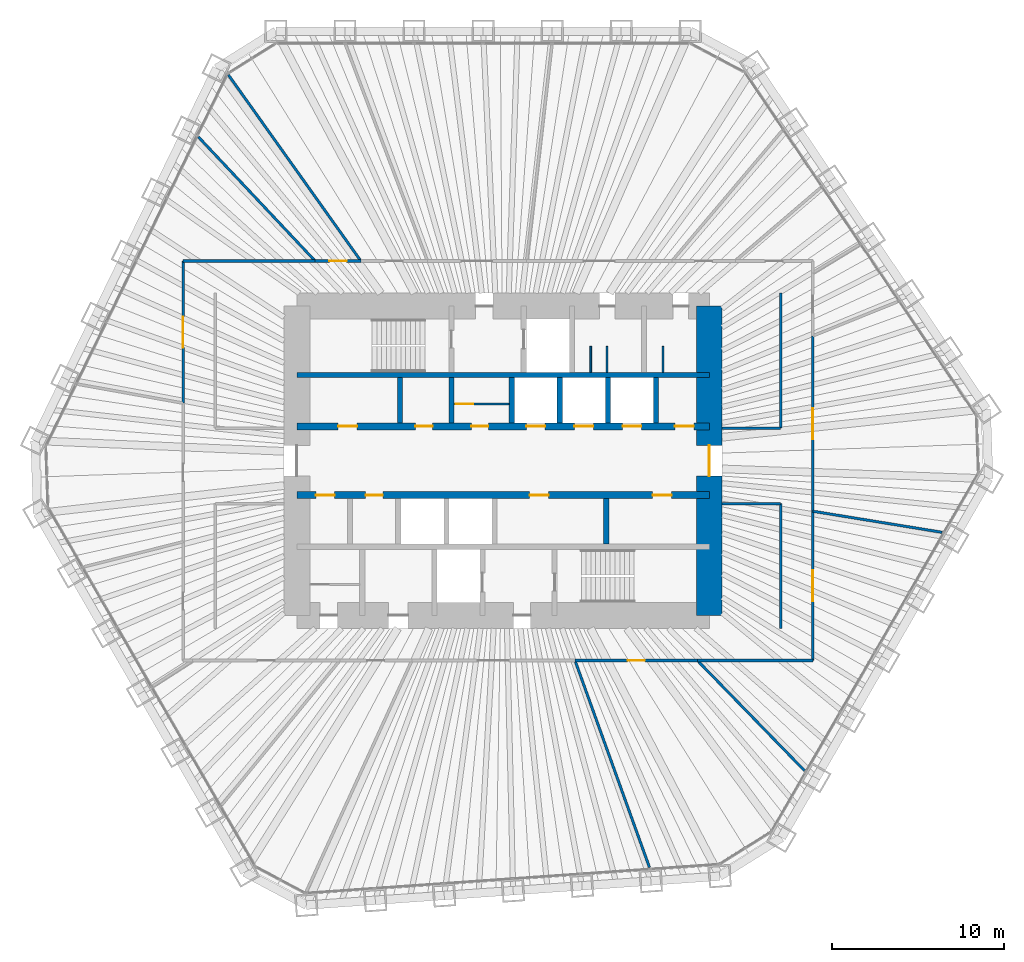
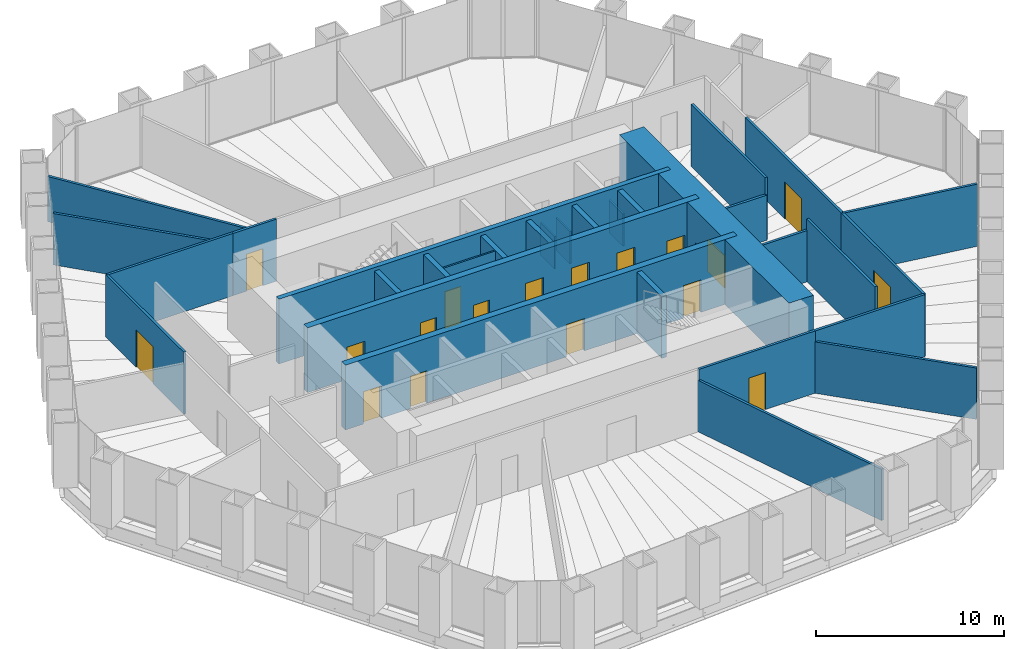
# One storey, part 11 of 13: 31 walls, 18 doors, 18 openings.
"""IFC4 building model written with IfcOpenShell, lengths in metres."""

from ifc_helpers import new_model, si_unit, direction, frame, frame_2d, origin, place, context, subcontext, project, spatial, rectangle, extrude, material, layer, layer_set, type_object, element, fill, save


model = new_model("IFC4")

# Units and contexts
model_context = context("Model", 3, precision=1e-05, world=origin(), true_north=direction((0.0, 1.0)))
body_context = subcontext(model_context, "Body", "Model", "MODEL_VIEW")
ifc_project = project(units=[si_unit("LENGTHUNIT", "METRE"), si_unit("AREAUNIT", "SQUARE_METRE"), si_unit("VOLUMEUNIT", "CUBIC_METRE"), si_unit("PLANEANGLEUNIT", "RADIAN"), si_unit("MASSUNIT", "GRAM", prefix="KILO")], contexts=[model_context])

# Site, building, storey
site_placement = place(None, origin())
site = spatial("IfcSite", under=ifc_project, at=site_placement, CompositionType="ELEMENT")
building_placement = place(site_placement, origin())
building = spatial("IfcBuilding", under=site, at=building_placement, Name="Qingtian Harvest Tower", CompositionType="ELEMENT")
storey_placement = place(building_placement, frame((0.0, 0.0, 149.199951171875)))
storey = spatial("IfcBuildingStorey", under=building, at=storey_placement, Name="L31", CompositionType="ELEMENT", Elevation=149.199951171875)

# Wall
ifc_material_1 = material(Name="Concrete fc' 70 MPa", Category="concrete")
ifc_layer_1 = layer(ifc_material_1, 0.300048828125)
ifc_layer_set_1 = layer_set([ifc_layer_1], Name="Core inner wall RC5 300")
wall_type_1 = type_object("IfcWallType", Name="Core inner wall RC5 300", PredefinedType="SHEAR", material=ifc_layer_set_1)
wall_1_placement = place(storey_placement, frame((-12.0, 5.0, 0.0), z_axis=(0.0, 0.0, 1.0), x_axis=(1.0, 0.0, 0.0)))
element("IfcWall", 1, at=wall_1_placement, inside=storey, type_object=wall_type_1, Name="Core wall IN5 L31", PredefinedType="SHEAR", context=body_context, shape_type="SweptSolid", body=[
    extrude(rectangle(XDim=24.0, YDim=0.300048828125, at=frame_2d((12.0, 0.0))), origin(), (0.0, 0.0, 1.0), 4.199951171875),
])

# Wall, openings, doors
ifc_material_2 = material(Name="Concrete fc' 70 MPa", Category="concrete")
ifc_layer_2 = layer(ifc_material_2, 0.39990234375)
ifc_layer_set_2 = layer_set([ifc_layer_2], Name="Core inner web RC6 400")
wall_type_2 = type_object("IfcWallType", Name="Core inner web RC6 400", PredefinedType="SHEAR", material=ifc_layer_set_2)
wall_2_placement = place(storey_placement, frame((-12.0, 2.0, 0.0), z_axis=(0.0, 0.0, 1.0), x_axis=(1.0, 0.0, 0.0)))
wall_2 = element("IfcWall", 2, at=wall_2_placement, inside=storey, type_object=wall_type_2, Name="Core wall IN2 L31", PredefinedType="SHEAR", context=body_context, shape_type="SweptSolid", body=[
    extrude(rectangle(XDim=24.0, YDim=0.39990234375, at=frame_2d((12.0, 0.0))), origin(), (0.0, 0.0, 1.0), 4.199951171875),
])
opening_1_placement = place(wall_2_placement, frame((2.39990234375, 0.0, 0.0)))
opening_1 = element("IfcOpeningElement", 3, at=opening_1_placement, cuts=wall_2, Name="Opening FD4", PredefinedType="OPENING", context=body_context, shape_type="SweptSolid", body=[
    extrude(rectangle(XDim=1.10009765625, YDim=2.10009765625, at=frame_2d((0.550048828125, 1.050048828125))), frame((0.0, 0.2099609375, 0.0), z_axis=(0.0, -1.0, 0.0), x_axis=(1.0, 0.0, 0.0)), (0.0, 0.0, 1.0), 0.419921875),
])
opening_2_placement = place(wall_2_placement, frame((22.0, 0.0, 0.0)))
opening_2 = element("IfcOpeningElement", 4, at=opening_2_placement, cuts=wall_2, Name="Opening FD4", PredefinedType="OPENING", context=body_context, shape_type="SweptSolid", body=[
    extrude(rectangle(XDim=1.10009765625, YDim=2.10009765625, at=frame_2d((0.550048828125, 1.050048828125))), frame((0.0, 0.2099609375, 0.0), z_axis=(0.0, -1.0, 0.0), x_axis=(1.0, 0.0, 0.0)), (0.0, 0.0, 1.0), 0.419921875),
])
opening_3_placement = place(wall_2_placement, frame((10.14990234375, 0.0, 0.0)))
opening_3 = element("IfcOpeningElement", 5, at=opening_3_placement, cuts=wall_2, Name="Opening FD1", PredefinedType="OPENING", context=body_context, shape_type="SweptSolid", body=[
    extrude(rectangle(XDim=1.0, YDim=2.10009765625, at=frame_2d((0.5, 1.050048828125))), frame((0.0, 0.2099609375, 0.0), z_axis=(0.0, -1.0, 0.0), x_axis=(1.0, 0.0, 0.0)), (0.0, 0.0, 1.0), 0.419921875),
])
opening_4_placement = place(wall_2_placement, frame((6.89990234375, 0.0, 0.0)))
opening_4 = element("IfcOpeningElement", 6, at=opening_4_placement, cuts=wall_2, Name="Opening FD1", PredefinedType="OPENING", context=body_context, shape_type="SweptSolid", body=[
    extrude(rectangle(XDim=1.0, YDim=2.10009765625, at=frame_2d((0.5, 1.050048828125))), frame((0.0, 0.2099609375, 0.0), z_axis=(0.0, -1.0, 0.0), x_axis=(1.0, 0.0, 0.0)), (0.0, 0.0, 1.0), 0.419921875),
])
opening_5_placement = place(wall_2_placement, frame((13.35009765625, 0.0, 0.0)))
opening_5 = element("IfcOpeningElement", 7, at=opening_5_placement, cuts=wall_2, Name="Opening LD1", PredefinedType="OPENING", context=body_context, shape_type="SweptSolid", body=[
    extrude(rectangle(XDim=1.10009765625, YDim=2.39990234375, at=frame_2d((0.550048828125, 1.199951171875))), frame((0.0, 0.2099609375, 0.0), z_axis=(0.0, -1.0, 0.0), x_axis=(1.0, 0.0, 0.0)), (0.0, 0.0, 1.0), 0.419921875),
])
opening_6_placement = place(wall_2_placement, frame((16.14990234375, 0.0, 0.0)))
opening_6 = element("IfcOpeningElement", 8, at=opening_6_placement, cuts=wall_2, Name="Opening LD1", PredefinedType="OPENING", context=body_context, shape_type="SweptSolid", body=[
    extrude(rectangle(XDim=1.10009765625, YDim=2.39990234375, at=frame_2d((0.550048828125, 1.199951171875))), frame((0.0, 0.2099609375, 0.0), z_axis=(0.0, -1.0, 0.0), x_axis=(1.0, 0.0, 0.0)), (0.0, 0.0, 1.0), 0.419921875),
])
opening_7_placement = place(wall_2_placement, frame((18.949951171875, 0.0, 0.0)))
opening_7 = element("IfcOpeningElement", 9, at=opening_7_placement, cuts=wall_2, Name="Opening LD1", PredefinedType="OPENING", context=body_context, shape_type="SweptSolid", body=[
    extrude(rectangle(XDim=1.10009765625, YDim=2.39990234375, at=frame_2d((0.550048828125, 1.199951171875))), frame((0.0, 0.2099609375, 0.0), z_axis=(0.0, -1.0, 0.0), x_axis=(1.0, 0.0, 0.0)), (0.0, 0.0, 1.0), 0.419921875),
])
ifc_material_3 = material(Name="Steel-faced door leaf", Category="steel")
door_type_1 = type_object("IfcDoorType", Name="Fire door FD1 single 1 HR", OperationType="SINGLE_SWING_LEFT", PredefinedType="DOOR", material=ifc_material_3)
door_1_placement = place(opening_3_placement, origin())
door_1 = element("IfcDoor", 10, at=door_1_placement, inside=storey, type_object=door_type_1, Name="STA door L31", OperationType="SINGLE_SWING_LEFT", OverallHeight=2.10009765625, OverallWidth=1.0, PredefinedType="DOOR", context=body_context, shape_type="SweptSolid", body=[
    extrude(rectangle(XDim=1.0, YDim=2.10009765625, at=frame_2d((0.5, 1.050048828125))), frame((0.0, 0.02490234375, 0.0), z_axis=(0.0, -1.0, 0.0), x_axis=(1.0, 0.0, 0.0)), (0.0, 0.0, 1.0), 0.050048828125),
])
fill(opening_3, door_1)
door_2_placement = place(opening_4_placement, origin())
door_2 = element("IfcDoor", 11, at=door_2_placement, inside=storey, type_object=door_type_1, Name="Pantry door L31", OperationType="SINGLE_SWING_RIGHT", OverallHeight=2.10009765625, OverallWidth=1.0, PredefinedType="DOOR", context=body_context, shape_type="SweptSolid", body=[
    extrude(rectangle(XDim=1.0, YDim=2.10009765625, at=frame_2d((0.5, 1.050048828125))), frame((0.0, 0.02490234375, 0.0), z_axis=(0.0, -1.0, 0.0), x_axis=(1.0, 0.0, 0.0)), (0.0, 0.0, 1.0), 0.050048828125),
])
fill(opening_4, door_2)
ifc_material_4 = material(Name="Steel-faced door leaf", Category="steel")
door_type_2 = type_object("IfcDoorType", Name="Fire door FD4 single 2 HR", OperationType="SINGLE_SWING_LEFT", PredefinedType="DOOR", material=ifc_material_4)
door_3_placement = place(opening_1_placement, origin())
door_3 = element("IfcDoor", 12, at=door_3_placement, inside=storey, type_object=door_type_2, Name="RA door L31", OperationType="SINGLE_SWING_LEFT", OverallHeight=2.10009765625, OverallWidth=1.10009765625, PredefinedType="DOOR", context=body_context, shape_type="SweptSolid", body=[
    extrude(rectangle(XDim=1.10009765625, YDim=2.10009765625, at=frame_2d((0.550048828125, 1.050048828125))), frame((0.0, 0.02490234375, 0.0), z_axis=(0.0, -1.0, 0.0), x_axis=(1.0, 0.0, 0.0)), (0.0, 0.0, 1.0), 0.050048828125),
])
fill(opening_1, door_3)
door_4_placement = place(opening_2_placement, origin())
door_4 = element("IfcDoor", 13, at=door_4_placement, inside=storey, type_object=door_type_2, Name="AHU door L31", OperationType="SINGLE_SWING_RIGHT", OverallHeight=2.10009765625, OverallWidth=1.10009765625, PredefinedType="DOOR", context=body_context, shape_type="SweptSolid", body=[
    extrude(rectangle(XDim=1.10009765625, YDim=2.10009765625, at=frame_2d((0.550048828125, 1.050048828125))), frame((0.0, 0.02490234375, 0.0), z_axis=(0.0, -1.0, 0.0), x_axis=(1.0, 0.0, 0.0)), (0.0, 0.0, 1.0), 0.050048828125),
])
fill(opening_2, door_4)
ifc_material_5 = material(Name="Stainless steel lift landing door", Category="steel")
door_type_3 = type_object("IfcDoorType", Name="Lift landing door LD1 1 HR", OperationType="DOUBLE_DOOR_SLIDING", PredefinedType="DOOR", material=ifc_material_5)
door_5_placement = place(opening_5_placement, origin())
door_5 = element("IfcDoor", 14, at=door_5_placement, inside=storey, type_object=door_type_3, Name="PLB1 landing door L31", OperationType="DOUBLE_DOOR_SLIDING", OverallHeight=2.39990234375, OverallWidth=1.10009765625, PredefinedType="DOOR", context=body_context, shape_type="SweptSolid", body=[
    extrude(rectangle(XDim=1.10009765625, YDim=2.39990234375, at=frame_2d((0.550048828125, 1.199951171875))), frame((0.0, 0.02490234375, 0.0), z_axis=(0.0, -1.0, 0.0), x_axis=(1.0, 0.0, 0.0)), (0.0, 0.0, 1.0), 0.050048828125),
])
fill(opening_5, door_5)
door_6_placement = place(opening_6_placement, origin())
door_6 = element("IfcDoor", 15, at=door_6_placement, inside=storey, type_object=door_type_3, Name="PLB2 landing door L31", OperationType="DOUBLE_DOOR_SLIDING", OverallHeight=2.39990234375, OverallWidth=1.10009765625, PredefinedType="DOOR", context=body_context, shape_type="SweptSolid", body=[
    extrude(rectangle(XDim=1.10009765625, YDim=2.39990234375, at=frame_2d((0.550048828125, 1.199951171875))), frame((0.0, 0.02490234375, 0.0), z_axis=(0.0, -1.0, 0.0), x_axis=(1.0, 0.0, 0.0)), (0.0, 0.0, 1.0), 0.050048828125),
])
fill(opening_6, door_6)
door_7_placement = place(opening_7_placement, origin())
door_7 = element("IfcDoor", 16, at=door_7_placement, inside=storey, type_object=door_type_3, Name="PLB3 landing door L31", OperationType="DOUBLE_DOOR_SLIDING", OverallHeight=2.39990234375, OverallWidth=1.10009765625, PredefinedType="DOOR", context=body_context, shape_type="SweptSolid", body=[
    extrude(rectangle(XDim=1.10009765625, YDim=2.39990234375, at=frame_2d((0.550048828125, 1.199951171875))), frame((0.0, 0.02490234375, 0.0), z_axis=(0.0, -1.0, 0.0), x_axis=(1.0, 0.0, 0.0)), (0.0, 0.0, 1.0), 0.050048828125),
])
fill(opening_7, door_7)

wall_3_placement = place(storey_placement, frame((-12.0, -2.0, 0.0), z_axis=(0.0, 0.0, 1.0), x_axis=(1.0, 0.0, 0.0)))
wall_3 = element("IfcWall", 17, at=wall_3_placement, inside=storey, type_object=wall_type_2, Name="Core wall IS2 L31", PredefinedType="SHEAR", context=body_context, shape_type="SweptSolid", body=[
    extrude(rectangle(XDim=24.0, YDim=0.39990234375, at=frame_2d((12.0, 0.0))), origin(), (0.0, 0.0, 1.0), 4.199951171875),
])
opening_8_placement = place(wall_3_placement, frame((1.10009765625, 0.0, 0.0)))
opening_8 = element("IfcOpeningElement", 18, at=opening_8_placement, cuts=wall_3, Name="Opening FD4", PredefinedType="OPENING", context=body_context, shape_type="SweptSolid", body=[
    extrude(rectangle(XDim=1.10009765625, YDim=2.10009765625, at=frame_2d((0.550048828125, 1.050048828125))), frame((0.0, 0.2099609375, 0.0), z_axis=(0.0, -1.0, 0.0), x_axis=(1.0, 0.0, 0.0)), (0.0, 0.0, 1.0), 0.419921875),
])
opening_9_placement = place(wall_3_placement, frame((13.550048828125, 0.0, 0.0)))
opening_9 = element("IfcOpeningElement", 19, at=opening_9_placement, cuts=wall_3, Name="Opening FD4", PredefinedType="OPENING", context=body_context, shape_type="SweptSolid", body=[
    extrude(rectangle(XDim=1.10009765625, YDim=2.10009765625, at=frame_2d((0.550048828125, 1.050048828125))), frame((0.0, 0.2099609375, 0.0), z_axis=(0.0, -1.0, 0.0), x_axis=(1.0, 0.0, 0.0)), (0.0, 0.0, 1.0), 0.419921875),
])
opening_10_placement = place(wall_3_placement, frame((20.699951171875, 0.0, 0.0)))
opening_10 = element("IfcOpeningElement", 20, at=opening_10_placement, cuts=wall_3, Name="Opening FD4", PredefinedType="OPENING", context=body_context, shape_type="SweptSolid", body=[
    extrude(rectangle(XDim=1.10009765625, YDim=2.10009765625, at=frame_2d((0.550048828125, 1.050048828125))), frame((0.0, 0.2099609375, 0.0), z_axis=(0.0, -1.0, 0.0), x_axis=(1.0, 0.0, 0.0)), (0.0, 0.0, 1.0), 0.419921875),
])
opening_11_placement = place(wall_3_placement, frame((4.0, 0.0, 0.0)))
opening_11 = element("IfcOpeningElement", 21, at=opening_11_placement, cuts=wall_3, Name="Opening FD1", PredefinedType="OPENING", context=body_context, shape_type="SweptSolid", body=[
    extrude(rectangle(XDim=1.0, YDim=2.10009765625, at=frame_2d((0.5, 1.050048828125))), frame((0.0, 0.2099609375, 0.0), z_axis=(0.0, -1.0, 0.0), x_axis=(1.0, 0.0, 0.0)), (0.0, 0.0, 1.0), 0.419921875),
])
door_8_placement = place(opening_11_placement, origin())
door_8 = element("IfcDoor", 22, at=door_8_placement, inside=storey, type_object=door_type_1, Name="IT room door L31", OperationType="SINGLE_SWING_RIGHT", OverallHeight=2.10009765625, OverallWidth=1.0, PredefinedType="DOOR", context=body_context, shape_type="SweptSolid", body=[
    extrude(rectangle(XDim=1.0, YDim=2.10009765625, at=frame_2d((0.5, 1.050048828125))), frame((0.0, 0.02490234375, 0.0), z_axis=(0.0, -1.0, 0.0), x_axis=(1.0, 0.0, 0.0)), (0.0, 0.0, 1.0), 0.050048828125),
])
fill(opening_11, door_8)
door_9_placement = place(opening_8_placement, origin())
door_9 = element("IfcDoor", 23, at=door_9_placement, inside=storey, type_object=door_type_2, Name="RB door L31", OperationType="SINGLE_SWING_LEFT", OverallHeight=2.10009765625, OverallWidth=1.10009765625, PredefinedType="DOOR", context=body_context, shape_type="SweptSolid", body=[
    extrude(rectangle(XDim=1.10009765625, YDim=2.10009765625, at=frame_2d((0.550048828125, 1.050048828125))), frame((0.0, 0.02490234375, 0.0), z_axis=(0.0, -1.0, 0.0), x_axis=(1.0, 0.0, 0.0)), (0.0, 0.0, 1.0), 0.050048828125),
])
fill(opening_8, door_9)
door_10_placement = place(opening_9_placement, origin())
door_10 = element("IfcDoor", 24, at=door_10_placement, inside=storey, type_object=door_type_2, Name="ELEC door L31", OperationType="SINGLE_SWING_LEFT", OverallHeight=2.10009765625, OverallWidth=1.10009765625, PredefinedType="DOOR", context=body_context, shape_type="SweptSolid", body=[
    extrude(rectangle(XDim=1.10009765625, YDim=2.10009765625, at=frame_2d((0.550048828125, 1.050048828125))), frame((0.0, 0.02490234375, 0.0), z_axis=(0.0, -1.0, 0.0), x_axis=(1.0, 0.0, 0.0)), (0.0, 0.0, 1.0), 0.050048828125),
])
fill(opening_9, door_10)
door_11_placement = place(opening_10_placement, origin())
door_11 = element("IfcDoor", 25, at=door_11_placement, inside=storey, type_object=door_type_2, Name="DUCT door L31", OperationType="SINGLE_SWING_RIGHT", OverallHeight=2.10009765625, OverallWidth=1.10009765625, PredefinedType="DOOR", context=body_context, shape_type="SweptSolid", body=[
    extrude(rectangle(XDim=1.10009765625, YDim=2.10009765625, at=frame_2d((0.550048828125, 1.050048828125))), frame((0.0, 0.02490234375, 0.0), z_axis=(0.0, -1.0, 0.0), x_axis=(1.0, 0.0, 0.0)), (0.0, 0.0, 1.0), 0.050048828125),
])
fill(opening_10, door_11)

# Walls
ifc_material_6 = material(Name="Precast concrete shaft panel", Category="concrete")
ifc_layer_3 = layer(ifc_material_6, 0.300048828125)
ifc_layer_set_3 = layer_set([ifc_layer_3], Name="Core shaft partition SW1 300")
wall_type_3 = type_object("IfcWallType", Name="Core shaft partition SW1 300", PredefinedType="PARTITIONING", material=ifc_layer_set_3)
for number, where, z_axis, x_axis, name in (
    (26, (-6.0, 2.199951171875, 0.0), (0.0, 0.0, 1.0), (0.0, 1.0, 0.0), "Core shaft partition XA1 L31"),
    (27, (-3.0, 2.199951171875, 0.0), (0.0, 0.0, 1.0), (0.0, 1.0, 0.0), "Core shaft partition XA2 L31"),
    (28, (0.5, 2.199951171875, 0.0), (0.0, 0.0, 1.0), (0.0, 1.0, 0.0), "Core shaft partition XA3 L31"),
    (29, (3.300048828125, 2.199951171875, 0.0), (0.0, 0.0, 1.0), (0.0, 1.0, 0.0), "Core shaft partition XA4 L31"),
    (30, (6.10009765625, 2.199951171875, 0.0), (0.0, 0.0, 1.0), (0.0, 1.0, 0.0), "Core shaft partition XA5 L31"),
    (31, (8.89990234375, 2.199951171875, 0.0), (0.0, 0.0, 1.0), (0.0, 1.0, 0.0), "Core shaft partition XA6 L31"),
    (32, (6.0, -4.85009765625, 0.0), (0.0, 0.0, 1.0), (0.0, 1.0, 0.0), "Core shaft partition XB5 L31"),
):
    element("IfcWall", number, at=place(storey_placement, frame(where, z_axis=z_axis, x_axis=x_axis)), inside=storey, type_object=wall_type_3, Name=name, PredefinedType="PARTITIONING", context=body_context, shape_type="SweptSolid", body=[
        extrude(rectangle(XDim=2.650146484375, YDim=0.300048828125, at=frame_2d((1.3251953125, 0.0))), origin(), (0.0, 0.0, 1.0), 3.97998046875),
    ])

# Wall, opening, door
ifc_material_7 = material(Name="Concrete fc' 70 MPa", Category="concrete")
ifc_layer_4 = layer(ifc_material_7, 1.5)
ifc_layer_set_4 = layer_set([ifc_layer_4], Name="Core wall RC1 1500")
wall_type_4 = type_object("IfcWallType", Name="Core wall RC1 1500", PredefinedType="SHEAR", material=ifc_layer_set_4)
wall_4_placement = place(storey_placement, frame((12.0, -9.0, 0.0), z_axis=(0.0, 0.0, 1.0), x_axis=(0.0, 1.0, 0.0)))
wall_4 = element("IfcWall", 33, at=wall_4_placement, inside=storey, type_object=wall_type_4, Name="Core wall CE L31", PredefinedType="SHEAR", context=body_context, shape_type="SweptSolid", body=[
    extrude(rectangle(XDim=18.0, YDim=1.5, at=frame_2d((9.0, 0.0))), origin(), (0.0, 0.0, 1.0), 4.199951171875),
])
opening_12_placement = place(wall_4_placement, frame((8.10009765625, 0.0, 0.0)))
opening_12 = element("IfcOpeningElement", 34, at=opening_12_placement, cuts=wall_4, Name="Opening FD2", PredefinedType="OPENING", context=body_context, shape_type="SweptSolid", body=[
    extrude(rectangle(XDim=1.800048828125, YDim=2.10009765625, at=frame_2d((0.89990234375, 1.050048828125))), frame((0.0, 0.760009765625, 0.0), z_axis=(0.0, -1.0, 0.0), x_axis=(1.0, 0.0, 0.0)), (0.0, 0.0, 1.0), 1.52001953125),
])
ifc_material_8 = material(Name="Steel-faced door leaf", Category="steel")
door_type_4 = type_object("IfcDoorType", Name="Fire door FD2 double 1 HR", OperationType="DOUBLE_DOOR_DOUBLE_SWING", PredefinedType="DOOR", material=ifc_material_8)
door_12_placement = place(opening_12_placement, origin())
door_12 = element("IfcDoor", 35, at=door_12_placement, inside=storey, type_object=door_type_4, Name="LOBBY-E door L31", OperationType="DOUBLE_DOOR_DOUBLE_SWING", OverallHeight=2.10009765625, OverallWidth=1.800048828125, PredefinedType="DOOR", context=body_context, shape_type="SweptSolid", body=[
    extrude(rectangle(XDim=1.800048828125, YDim=2.10009765625, at=frame_2d((0.89990234375, 1.050048828125))), frame((0.0, 0.02490234375, 0.0), z_axis=(0.0, -1.0, 0.0), x_axis=(1.0, 0.0, 0.0)), (0.0, 0.0, 1.0), 0.050048828125),
])
fill(opening_12, door_12)

ifc_material_9 = material(Name="Gypsum board on steel studs", Category="steel")
ifc_layer_5 = layer(ifc_material_9, 0.14990234375)
ifc_layer_set_5 = layer_set([ifc_layer_5], Name="Partition PT1 150")
wall_type_5 = type_object("IfcWallType", Name="Partition PT1 150", PredefinedType="PARTITIONING", material=ifc_layer_set_5)
wall_5_placement = place(storey_placement, frame((18.02490234375, 7.267333984375, 0.0), z_axis=(0.0, 0.0, 1.0), x_axis=(0.0, -1.0, 0.0)))
wall_5 = element("IfcWall", 36, at=wall_5_placement, inside=storey, type_object=wall_type_5, Name="Meeting room wall L31", PredefinedType="PARTITIONING", context=body_context, shape_type="SweptSolid", body=[
    extrude(rectangle(XDim=10.205322265625, YDim=0.14990234375, at=frame_2d((5.1025390625, 0.0))), origin(), (0.0, 0.0, 1.0), 4.030029296875),
])
opening_13_placement = place(wall_5_placement, frame((4.20263671875, 0.0, 0.0)))
opening_13 = element("IfcOpeningElement", 37, at=opening_13_placement, cuts=wall_5, Name="Opening D3", PredefinedType="OPENING", context=body_context, shape_type="SweptSolid", body=[
    extrude(rectangle(XDim=1.800048828125, YDim=2.39990234375, at=frame_2d((0.89990234375, 1.199951171875))), frame((0.0, 0.0849609375, 0.0), z_axis=(0.0, -1.0, 0.0), x_axis=(1.0, 0.0, 0.0)), (0.0, 0.0, 1.0), 0.169921875),
])
ifc_material_10 = material(Name="Laminated timber door leaf", Category="wood")
door_type_5 = type_object("IfcDoorType", Name="Room door D3 double", OperationType="DOUBLE_DOOR_DOUBLE_SWING", PredefinedType="DOOR", material=ifc_material_10)
door_13_placement = place(opening_13_placement, origin())
door_13 = element("IfcDoor", 38, at=door_13_placement, inside=storey, type_object=door_type_5, Name="Meeting room door L31", OperationType="DOUBLE_DOOR_DOUBLE_SWING", OverallHeight=2.39990234375, OverallWidth=1.800048828125, PredefinedType="DOOR", context=body_context, shape_type="SweptSolid", body=[
    extrude(rectangle(XDim=1.800048828125, YDim=2.39990234375, at=frame_2d((0.89990234375, 1.199951171875))), frame((0.0, 0.02490234375, 0.0), z_axis=(0.0, -1.0, 0.0), x_axis=(1.0, 0.0, 0.0)), (0.0, 0.0, 1.0), 0.050048828125),
])
fill(opening_13, door_13)

# Wall
wall_6_placement = place(storey_placement, frame((25.547119140625, -4.1640625, 0.0), z_axis=(0.0, 0.0, 1.0), x_axis=(-0.986975470567, 0.160870819291, 0.0)))
element("IfcWall", 39, at=wall_6_placement, inside=storey, type_object=wall_type_5, Name="Workplace zone wall L31", PredefinedType="PARTITIONING", context=body_context, shape_type="SweptSolid", body=[
    extrude(rectangle(XDim=7.62158203125, YDim=0.14990234375, at=frame_2d((3.810791015625, 0.0))), origin(), (0.0, 0.0, 1.0), 4.030029296875),
])

# Wall, opening, door
wall_7_placement = place(storey_placement, frame((18.02490234375, -2.93798828125, 0.0), z_axis=(0.0, 0.0, 1.0), x_axis=(0.0, -1.0, 0.0)))
wall_7 = element("IfcWall", 40, at=wall_7_placement, inside=storey, type_object=wall_type_5, Name="Workplace zone wall L31", PredefinedType="PARTITIONING", context=body_context, shape_type="SweptSolid", body=[
    extrude(rectangle(XDim=8.68701171875, YDim=0.14990234375, at=frame_2d((4.343505859375, 0.0))), origin(), (0.0, 0.0, 1.0), 4.030029296875),
])
opening_14_placement = place(wall_7_placement, frame((3.443359375, 0.0, 0.0)))
opening_14 = element("IfcOpeningElement", 41, at=opening_14_placement, cuts=wall_7, Name="Opening D3", PredefinedType="OPENING", context=body_context, shape_type="SweptSolid", body=[
    extrude(rectangle(XDim=1.800048828125, YDim=2.39990234375, at=frame_2d((0.89990234375, 1.199951171875))), frame((0.0, 0.0849609375, 0.0), z_axis=(0.0, -1.0, 0.0), x_axis=(1.0, 0.0, 0.0)), (0.0, 0.0, 1.0), 0.169921875),
])
door_14_placement = place(opening_14_placement, origin())
door_14 = element("IfcDoor", 42, at=door_14_placement, inside=storey, type_object=door_type_5, Name="Workplace zone door L31", OperationType="DOUBLE_DOOR_DOUBLE_SWING", OverallHeight=2.39990234375, OverallWidth=1.800048828125, PredefinedType="DOOR", context=body_context, shape_type="SweptSolid", body=[
    extrude(rectangle(XDim=1.800048828125, YDim=2.39990234375, at=frame_2d((0.89990234375, 1.199951171875))), frame((0.0, 0.02490234375, 0.0), z_axis=(0.0, -1.0, 0.0), x_axis=(1.0, 0.0, 0.0)), (0.0, 0.0, 1.0), 0.050048828125),
])
fill(opening_14, door_14)

# Walls
wall_8_placement = place(storey_placement, frame((18.02490234375, -11.625, 0.0), z_axis=(0.0, 0.0, 1.0), x_axis=(-1.0, 0.0, 0.0)))
element("IfcWall", 43, at=wall_8_placement, inside=storey, type_object=wall_type_5, Name="Workplace zone wall L31", PredefinedType="PARTITIONING", context=body_context, shape_type="SweptSolid", body=[
    extrude(rectangle(XDim=6.7177734375, YDim=0.14990234375, at=frame_2d((3.35888671875, 0.0))), origin(), (0.0, 0.0, 1.0), 4.030029296875),
])
wall_9_placement = place(storey_placement, frame((17.537841796875, -18.031005859375, 0.0), z_axis=(0.0, 0.0, 1.0), x_axis=(-0.697230918085, 0.716846599257, 0.0)))
element("IfcWall", 44, at=wall_9_placement, inside=storey, type_object=wall_type_5, Name="Focus room wall L31", PredefinedType="PARTITIONING", context=body_context, shape_type="SweptSolid", body=[
    extrude(rectangle(XDim=8.936279296875, YDim=0.14990234375, at=frame_2d((4.46826171875, 0.0))), origin(), (0.0, 0.0, 1.0), 3.330078125),
])

# Wall, opening, door
wall_10_placement = place(storey_placement, frame((11.30712890625, -11.625, 0.0), z_axis=(0.0, 0.0, 1.0), x_axis=(-1.0, 0.0, 0.0)))
wall_10 = element("IfcWall", 45, at=wall_10_placement, inside=storey, type_object=wall_type_5, Name="Focus room wall L31", PredefinedType="PARTITIONING", context=body_context, shape_type="SweptSolid", body=[
    extrude(rectangle(XDim=7.123046875, YDim=0.14990234375, at=frame_2d((3.5615234375, 0.0))), origin(), (0.0, 0.0, 1.0), 4.030029296875),
])
opening_15_placement = place(wall_10_placement, frame((3.0615234375, 0.0, 0.0)))
opening_15 = element("IfcOpeningElement", 46, at=opening_15_placement, cuts=wall_10, Name="Opening D2", PredefinedType="OPENING", context=body_context, shape_type="SweptSolid", body=[
    extrude(rectangle(XDim=1.0, YDim=2.39990234375, at=frame_2d((0.5, 1.199951171875))), frame((0.0, 0.0849609375, 0.0), z_axis=(0.0, -1.0, 0.0), x_axis=(1.0, 0.0, 0.0)), (0.0, 0.0, 1.0), 0.169921875),
])
ifc_material_11 = material(Name="Laminated timber door leaf", Category="wood")
door_type_6 = type_object("IfcDoorType", Name="Room door D2 single", OperationType="SINGLE_SWING_LEFT", PredefinedType="DOOR", material=ifc_material_11)
door_15_placement = place(opening_15_placement, origin())
door_15 = element("IfcDoor", 47, at=door_15_placement, inside=storey, type_object=door_type_6, Name="Focus room door L31", OperationType="SINGLE_SWING_LEFT", OverallHeight=2.39990234375, OverallWidth=1.0, PredefinedType="DOOR", context=body_context, shape_type="SweptSolid", body=[
    extrude(rectangle(XDim=1.0, YDim=2.39990234375, at=frame_2d((0.5, 1.199951171875))), frame((0.0, 0.02490234375, 0.0), z_axis=(0.0, -1.0, 0.0), x_axis=(1.0, 0.0, 0.0)), (0.0, 0.0, 1.0), 0.050048828125),
])
fill(opening_15, door_15)

# Wall
wall_11_placement = place(storey_placement, frame((8.51806640625, -23.667236328125, 0.0), z_axis=(0.0, 0.0, 1.0), x_axis=(-0.338635030469, 0.940917805198, 0.0)))
element("IfcWall", 48, at=wall_11_placement, inside=storey, type_object=wall_type_5, Name="Workplace zone wall L31", PredefinedType="PARTITIONING", context=body_context, shape_type="SweptSolid", body=[
    extrude(rectangle(XDim=12.79833984375, YDim=0.14990234375, at=frame_2d((6.399169921875, 0.0))), origin(), (0.0, 0.0, 1.0), 3.330078125),
])

# Wall, opening, door
wall_12_placement = place(storey_placement, frame((-18.625, 3.35302734375, 0.0), z_axis=(0.0, 0.0, 1.0), x_axis=(0.0, 1.0, 0.0)))
wall_12 = element("IfcWall", 49, at=wall_12_placement, inside=storey, type_object=wall_type_5, Name="Workplace zone wall L31", PredefinedType="PARTITIONING", context=body_context, shape_type="SweptSolid", body=[
    extrude(rectangle(XDim=8.27197265625, YDim=0.14990234375, at=frame_2d((4.135986328125, 0.0))), origin(), (0.0, 0.0, 1.0), 4.030029296875),
])
opening_16_placement = place(wall_12_placement, frame((3.236083984375, 0.0, 0.0)))
opening_16 = element("IfcOpeningElement", 50, at=opening_16_placement, cuts=wall_12, Name="Opening D3", PredefinedType="OPENING", context=body_context, shape_type="SweptSolid", body=[
    extrude(rectangle(XDim=1.800048828125, YDim=2.39990234375, at=frame_2d((0.89990234375, 1.199951171875))), frame((0.0, 0.0849609375, 0.0), z_axis=(0.0, -1.0, 0.0), x_axis=(1.0, 0.0, 0.0)), (0.0, 0.0, 1.0), 0.169921875),
])
door_16_placement = place(opening_16_placement, origin())
door_16 = element("IfcDoor", 51, at=door_16_placement, inside=storey, type_object=door_type_5, Name="Workplace zone door L31", OperationType="DOUBLE_DOOR_DOUBLE_SWING", OverallHeight=2.39990234375, OverallWidth=1.800048828125, PredefinedType="DOOR", context=body_context, shape_type="SweptSolid", body=[
    extrude(rectangle(XDim=1.800048828125, YDim=2.39990234375, at=frame_2d((0.89990234375, 1.199951171875))), frame((0.0, 0.02490234375, 0.0), z_axis=(0.0, -1.0, 0.0), x_axis=(1.0, 0.0, 0.0)), (0.0, 0.0, 1.0), 0.050048828125),
])
fill(opening_16, door_16)

# Walls
wall_13_placement = place(storey_placement, frame((-18.625, 11.625, 0.0), z_axis=(0.0, 0.0, 1.0), x_axis=(1.0, 0.0, 0.0)))
element("IfcWall", 52, at=wall_13_placement, inside=storey, type_object=wall_type_5, Name="Workplace zone wall L31", PredefinedType="PARTITIONING", context=body_context, shape_type="SweptSolid", body=[
    extrude(rectangle(XDim=7.686279296875, YDim=0.14990234375, at=frame_2d((3.84326171875, 0.0))), origin(), (0.0, 0.0, 1.0), 4.030029296875),
])
wall_14_placement = place(storey_placement, frame((-17.738037109375, 18.850830078125, 0.0), z_axis=(0.0, 0.0, 1.0), x_axis=(0.685286406267, -0.728273672039, 0.0)))
element("IfcWall", 53, at=wall_14_placement, inside=storey, type_object=wall_type_5, Name="Meeting room wall L31", PredefinedType="PARTITIONING", context=body_context, shape_type="SweptSolid", body=[
    extrude(rectangle(XDim=9.921875, YDim=0.14990234375, at=frame_2d((4.9609375, 0.0))), origin(), (0.0, 0.0, 1.0), 3.330078125),
])

# Wall, opening, door
wall_15_placement = place(storey_placement, frame((-10.938720703125, 11.625, 0.0), z_axis=(0.0, 0.0, 1.0), x_axis=(1.0, 0.0, 0.0)))
wall_15 = element("IfcWall", 54, at=wall_15_placement, inside=storey, type_object=wall_type_5, Name="Meeting room wall L31", PredefinedType="PARTITIONING", context=body_context, shape_type="SweptSolid", body=[
    extrude(rectangle(XDim=2.662109375, YDim=0.14990234375, at=frame_2d((1.3310546875, 0.0))), origin(), (0.0, 0.0, 1.0), 4.030029296875),
])
opening_17_placement = place(wall_15_placement, frame((0.8310546875, 0.0, 0.0)))
opening_17 = element("IfcOpeningElement", 55, at=opening_17_placement, cuts=wall_15, Name="Opening D2", PredefinedType="OPENING", context=body_context, shape_type="SweptSolid", body=[
    extrude(rectangle(XDim=1.0, YDim=2.39990234375, at=frame_2d((0.5, 1.199951171875))), frame((0.0, 0.0849609375, 0.0), z_axis=(0.0, -1.0, 0.0), x_axis=(1.0, 0.0, 0.0)), (0.0, 0.0, 1.0), 0.169921875),
])
door_17_placement = place(opening_17_placement, origin())
door_17 = element("IfcDoor", 56, at=door_17_placement, inside=storey, type_object=door_type_6, Name="Meeting room door L31", OperationType="SINGLE_SWING_RIGHT", OverallHeight=2.39990234375, OverallWidth=1.0, PredefinedType="DOOR", context=body_context, shape_type="SweptSolid", body=[
    extrude(rectangle(XDim=1.0, YDim=2.39990234375, at=frame_2d((0.5, 1.199951171875))), frame((0.0, 0.02490234375, 0.0), z_axis=(0.0, -1.0, 0.0), x_axis=(1.0, 0.0, 0.0)), (0.0, 0.0, 1.0), 0.050048828125),
])
fill(opening_17, door_17)

# Walls
wall_16_placement = place(storey_placement, frame((-15.986572265625, 22.45458984375, 0.0), z_axis=(0.0, 0.0, 1.0), x_axis=(0.579969304452, -0.814638328274, 0.0)))
element("IfcWall", 57, at=wall_16_placement, inside=storey, type_object=wall_type_5, Name="Private office wall L31", PredefinedType="PARTITIONING", context=body_context, shape_type="SweptSolid", body=[
    extrude(rectangle(XDim=13.293701171875, YDim=0.14990234375, at=frame_2d((6.64697265625, 0.0))), origin(), (0.0, 0.0, 1.0), 2.929931640625),
])
wall_17_placement = place(storey_placement, frame((16.14990234375, 1.89990234375, 0.0), z_axis=(0.0, 0.0, 1.0), x_axis=(0.0, 1.0, 0.0)))
element("IfcWall", 58, at=wall_17_placement, inside=storey, type_object=wall_type_5, Name="Breakout space wall L31", PredefinedType="PARTITIONING", context=body_context, shape_type="SweptSolid", body=[
    extrude(rectangle(XDim=7.85009765625, YDim=0.14990234375, at=frame_2d((3.925048828125, 0.0))), origin(), (0.0, 0.0, 1.0), 4.030029296875),
])
wall_18_placement = place(storey_placement, frame((12.75, 1.89990234375, 0.0), z_axis=(0.0, 0.0, 1.0), x_axis=(1.0, 0.0, 0.0)))
element("IfcWall", 59, at=wall_18_placement, inside=storey, type_object=wall_type_5, Name="Breakout space wall L31", PredefinedType="PARTITIONING", context=body_context, shape_type="SweptSolid", body=[
    extrude(rectangle(XDim=3.39990234375, YDim=0.14990234375, at=frame_2d((1.699951171875, 0.0))), origin(), (0.0, 0.0, 1.0), 2.929931640625),
])
wall_19_placement = place(storey_placement, frame((16.14990234375, -9.75, 0.0), z_axis=(0.0, 0.0, 1.0), x_axis=(0.0, 1.0, 0.0)))
element("IfcWall", 60, at=wall_19_placement, inside=storey, type_object=wall_type_5, Name="Print area wall L31", PredefinedType="PARTITIONING", context=body_context, shape_type="SweptSolid", body=[
    extrude(rectangle(XDim=7.25, YDim=0.14990234375, at=frame_2d((3.625, 0.0))), origin(), (0.0, 0.0, 1.0), 4.030029296875),
])
wall_20_placement = place(storey_placement, frame((12.75, -2.5, 0.0), z_axis=(0.0, 0.0, 1.0), x_axis=(1.0, 0.0, 0.0)))
element("IfcWall", 61, at=wall_20_placement, inside=storey, type_object=wall_type_5, Name="Print area wall L31", PredefinedType="PARTITIONING", context=body_context, shape_type="SweptSolid", body=[
    extrude(rectangle(XDim=3.39990234375, YDim=0.14990234375, at=frame_2d((1.699951171875, 0.0))), origin(), (0.0, 0.0, 1.0), 3.330078125),
])

# Wall, opening, door
ifc_material_12 = material(Name="Concrete block partition", Category="concrete")
ifc_layer_6 = layer(ifc_material_12, 0.10009765625)
ifc_layer_set_6 = layer_set([ifc_layer_6], Name="Store partition PT3 100")
wall_type_6 = type_object("IfcWallType", Name="Store partition PT3 100", PredefinedType="PARTITIONING", material=ifc_layer_set_6)
wall_21_placement = place(storey_placement, frame((-2.85009765625, 3.300048828125, 0.0), z_axis=(0.0, 0.0, 1.0), x_axis=(1.0, 0.0, 0.0)))
wall_21 = element("IfcWall", 62, at=wall_21_placement, inside=storey, type_object=wall_type_6, Name="Linen store wall L31", PredefinedType="PARTITIONING", context=body_context, shape_type="SweptSolid", body=[
    extrude(rectangle(XDim=3.2001953125, YDim=0.10009765625, at=frame_2d((1.60009765625, 0.0))), origin(), (0.0, 0.0, 1.0), 3.97998046875),
])
opening_18_placement = place(wall_21_placement, frame((0.10009765625, 0.0, 0.0)))
opening_18 = element("IfcOpeningElement", 63, at=opening_18_placement, cuts=wall_21, Name="Opening D2", PredefinedType="OPENING", context=body_context, shape_type="SweptSolid", body=[
    extrude(rectangle(XDim=1.0, YDim=2.39990234375, at=frame_2d((0.5, 1.199951171875))), frame((0.0, 0.06005859375, 0.0), z_axis=(0.0, -1.0, 0.0), x_axis=(1.0, 0.0, 0.0)), (0.0, 0.0, 1.0), 0.1201171875),
])
door_18_placement = place(opening_18_placement, origin())
door_18 = element("IfcDoor", 64, at=door_18_placement, inside=storey, type_object=door_type_6, Name="Linen store door L31", OperationType="SINGLE_SWING_LEFT", OverallHeight=2.39990234375, OverallWidth=1.0, PredefinedType="DOOR", context=body_context, shape_type="SweptSolid", body=[
    extrude(rectangle(XDim=1.0, YDim=2.39990234375, at=frame_2d((0.5, 1.199951171875))), frame((0.0, 0.02490234375, 0.0), z_axis=(0.0, -1.0, 0.0), x_axis=(1.0, 0.0, 0.0)), (0.0, 0.0, 1.0), 0.050048828125),
])
fill(opening_18, door_18)

# Walls
ifc_material_13 = material(Name="Compact laminate cubicle partition", Category="plastic")
ifc_layer_7 = layer(ifc_material_13, 0.10009765625)
ifc_layer_set_7 = layer_set([ifc_layer_7], Name="WC cubicle partition WP1 100")
wall_type_7 = type_object("IfcWallType", Name="WC cubicle partition WP1 100", PredefinedType="PARTITIONING", material=ifc_layer_set_7)
for number, where, z_axis, x_axis, name in (
    (65, (5.10009765625, 5.14990234375, 0.0), (0.0, 0.0, 1.0), (0.0, 1.0, 0.0), "WC cubicle partition WCM L31"),
    (66, (6.050048828125, 5.14990234375, 0.0), (0.0, 0.0, 1.0), (0.0, 1.0, 0.0), "WC cubicle partition WCM L31"),
    (67, (9.300048828125, 5.14990234375, 0.0), (0.0, 0.0, 1.0), (0.0, 1.0, 0.0), "WC cubicle partition WCF L31"),
):
    element("IfcWall", number, at=place(storey_placement, frame(where, z_axis=z_axis, x_axis=x_axis)), inside=storey, type_object=wall_type_7, Name=name, PredefinedType="PARTITIONING", context=body_context, shape_type="SweptSolid", body=[
        extrude(rectangle(XDim=1.5, YDim=0.10009765625, at=frame_2d((0.75, 0.0))), origin(), (0.0, 0.0, 1.0), 2.10009765625),
    ])

save(model, "model.ifc")
